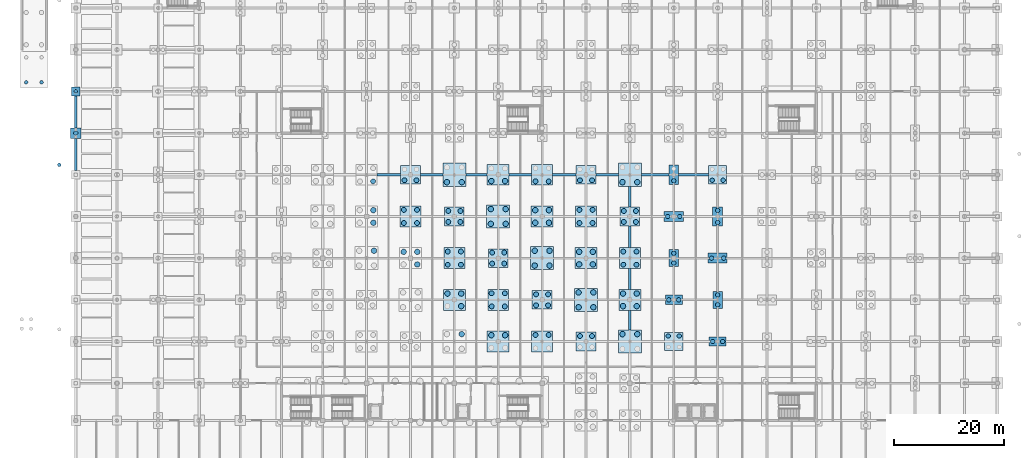
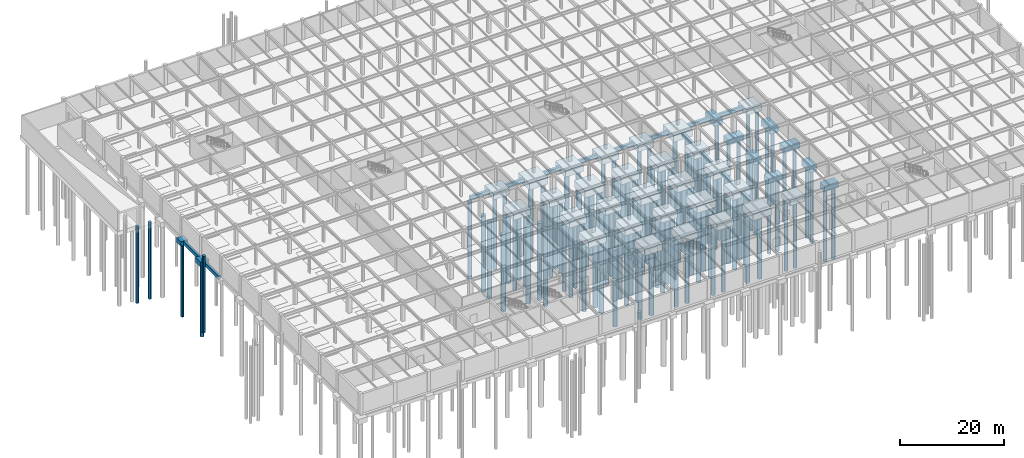
# One storey, part 3 of 53: 115 piles, 52 footings.
"""IFC4 building model written with IfcOpenShell, lengths in metres."""

import ifcopenshell
import ifcopenshell.guid

model = None  # the IFC model being written
_history = None  # IfcOwnerHistory: only IFC2X3 demands one
_inside = {}  # id of a spatial element -> (the spatial element, [elements in it])
_under = {}  # id of a project, library or spatial element -> (it, [spatial elements below it])
_declared = {}  # id of a project -> (the project, [libraries it declares])
_typed = {}  # id of a type object -> (the type object, [elements of that type])
_made_of = {}  # id of a material, layer set ... -> (it, [elements and type objects made of it])


def new_model(schema):
    """Start an empty IFC model of exactly this schema.

    Asked for "IFC4X3", IfcOpenShell would pick the latest addendum, in which some entities
    have other attributes; the version numbers below select the first issue.
    IFC2X3 requires an IfcOwnerHistory on every rooted entity: one is made here for all.
    """
    global model, _history
    if schema == "IFC4X3":
        model = ifcopenshell.file(schema_version=(4, 3, 0, 0))
    else:
        model = ifcopenshell.file(schema=schema)
    _inside.clear()
    _under.clear()
    _declared.clear()
    _typed.clear()
    _made_of.clear()
    _history = None
    if model.schema == "IFC2X3":
        org = make("IfcOrganization", Name="unknown")
        user = make(
            "IfcPersonAndOrganization",
            ThePerson=make("IfcPerson", FamilyName="unknown"),
            TheOrganization=org,
        )
        app = make(
            "IfcApplication",
            ApplicationDeveloper=org,
            Version="unknown",
            ApplicationFullName="unknown",
            ApplicationIdentifier="unknown",
        )
        _history = make(
            "IfcOwnerHistory",
            OwningUser=user,
            OwningApplication=app,
            ChangeAction="ADDED",
            CreationDate=0,
        )
    return model


def make(cls, **values):
    """One entity of the class cls with the attributes given. An attribute that is None is left unset."""
    return model.create_entity(
        cls, **{name: value for name, value in values.items() if value is not None}
    )


def rooted(cls, **values):
    """An entity with a GlobalId (a new one), such as an element, a storey or a relation."""
    return make(cls, GlobalId=ifcopenshell.guid.new(), OwnerHistory=_history, **values)


def si_unit(unit_type, name, prefix=None):
    """IfcSIUnit, for example si_unit("LENGTHUNIT", "METRE", prefix="MILLI")."""
    return make("IfcSIUnit", UnitType=unit_type, Prefix=prefix, Name=name)


def assignment(units):
    """IfcUnitAssignment: the units of a project."""
    return None if units is None else make("IfcUnitAssignment", Units=units)


def point(xyz):
    """IfcCartesianPoint."""
    return None if xyz is None else make("IfcCartesianPoint", Coordinates=xyz)


def direction(xyz):
    """IfcDirection."""
    return None if xyz is None else make("IfcDirection", DirectionRatios=xyz)


def frame(location, z_axis=None, x_axis=None):
    """IfcAxis2Placement3D, a coordinate frame: its origin and axes. An axis left out is left unset."""
    return make(
        "IfcAxis2Placement3D",
        Location=point(location),
        Axis=direction(z_axis),
        RefDirection=direction(x_axis),
    )


def frame_2d(location, x_axis=None):
    """IfcAxis2Placement2D, a coordinate frame in the plane: its origin and x axis."""
    return make(
        "IfcAxis2Placement2D", Location=point(location), RefDirection=direction(x_axis)
    )


def origin():
    """The frame at (0, 0, 0) with its axes left unset."""
    return frame((0.0, 0.0, 0.0))


def origin_2d():
    """The frame at (0, 0) in the plane with its x axis left unset."""
    return frame_2d((0.0, 0.0))


def place(relative_to, where):
    """IfcLocalPlacement: puts the frame where relative to a parent placement (None: the world)."""
    return make(
        "IfcLocalPlacement", PlacementRelTo=relative_to, RelativePlacement=where
    )


def context(
    kind, dimensions, precision=None, world=None, true_north=None, identifier=None
):
    """IfcGeometricRepresentationContext, for example the 3D "Model" context."""
    return make(
        "IfcGeometricRepresentationContext",
        ContextIdentifier=identifier,
        ContextType=kind,
        CoordinateSpaceDimension=dimensions,
        Precision=precision,
        WorldCoordinateSystem=world,
        TrueNorth=true_north,
    )


def subcontext(parent, identifier, kind, view, scale=None):
    """IfcGeometricRepresentationSubContext, for example "Body" below "Model"."""
    return make(
        "IfcGeometricRepresentationSubContext",
        ContextIdentifier=identifier,
        ContextType=kind,
        ParentContext=parent,
        TargetScale=scale,
        TargetView=view,
    )


def project(units=None, contexts=None):
    """IfcProject with its units and contexts."""
    return rooted(
        "IfcProject",
        Name="project",
        RepresentationContexts=contexts,
        UnitsInContext=assignment(units),
    )


def spatial(cls, under=None, at=None, **own):
    """A site, building, storey or space (cls), placed at a placement, below another one or the project."""
    s = rooted(cls, ObjectPlacement=at, **own)
    if under is not None:
        _under.setdefault(under.id(), (under, []))[1].append(s)
    return s


def profile(cls, at=None, kind="AREA", **sizes):
    """A parametric profile (cls). Its sizes go by their IFC names, for example OverallWidth=200.0."""
    return make(cls, ProfileType=kind, Position=at, **sizes)


def rectangle(**sizes):
    """IfcRectangleProfileDef."""
    return profile("IfcRectangleProfileDef", **sizes)


def circle(**sizes):
    """IfcCircleProfileDef."""
    return profile("IfcCircleProfileDef", **sizes)


def extrude(swept, where, along, depth):
    """IfcExtrudedAreaSolid: the profile swept, set in the frame where, extruded along a direction by depth."""
    return make(
        "IfcExtrudedAreaSolid",
        SweptArea=swept,
        Position=where,
        ExtrudedDirection=direction(along),
        Depth=depth,
    )


def shape(context_of_items, identifier, shape_type, items):
    """IfcShapeRepresentation: the items that make up one representation, for example the "Body"."""
    return make(
        "IfcShapeRepresentation",
        ContextOfItems=context_of_items,
        RepresentationIdentifier=identifier,
        RepresentationType=shape_type,
        Items=items,
    )


def material(Name=None, Category=None):
    """IfcMaterial."""
    return make("IfcMaterial", Name=Name, Category=Category)


def material_profile(
    of_material, cross_section, Name=None, Category=None, Priority=None
):
    """IfcMaterialProfile: a cross section and its material."""
    return make(
        "IfcMaterialProfile",
        Name=Name,
        Material=of_material,
        Profile=cross_section,
        Priority=Priority,
        Category=Category,
    )


def profile_set(profiles, Name=None, composite=None):
    """IfcMaterialProfileSet."""
    return make(
        "IfcMaterialProfileSet",
        Name=Name,
        MaterialProfiles=profiles,
        CompositeProfile=composite,
    )


def made_of(thing, what):
    """Note that an element or type object is made of a material, layer set ...; save() writes the relation."""
    if what is not None:
        _made_of.setdefault(what.id(), (what, []))[1].append(thing)
    return thing


def type_object(cls, material=None, **own):
    """A type object (cls), such as IfcWallType, which elements share."""
    return made_of(rooted(cls, **own), material)


def element(
    cls,
    number,
    at=None,
    inside=None,
    cuts=None,
    type_object=None,
    material=None,
    context=None,
    identifier="Body",
    shape_type=None,
    held_by="IfcProductDefinitionShape",
    body=None,
    shapes=None,
    **own,
):
    """One element of the class cls, such as IfcWall. Its Tag is "e" and its number.

    at: its placement. inside: the storey or other place that contains it. cuts: it is an
    opening in that element (IfcRelVoidsElement). A single representation is given by context,
    identifier, shape_type and body (its items); several are given by shapes. held_by: the class
    of the entity that holds the representations. save() writes the other relations.
    """
    e = rooted(cls, Tag="e%d" % number, ObjectPlacement=at, **own)
    if body is not None:
        shapes = [shape(context, identifier, shape_type, body)]
    if shapes is not None:
        e.Representation = make(held_by, Representations=shapes)
    if inside is not None:
        _inside.setdefault(inside.id(), (inside, []))[1].append(e)
    if cuts is not None:
        rooted(
            "IfcRelVoidsElement", RelatingBuildingElement=cuts, RelatedOpeningElement=e
        )
    if type_object is not None:
        _typed.setdefault(type_object.id(), (type_object, []))[1].append(e)
    return made_of(e, material)


def aggregate(whole, parts):
    """IfcRelAggregates: a whole, such as a stair, and the parts it consists of."""
    return rooted("IfcRelAggregates", RelatingObject=whole, RelatedObjects=parts)


def save(model, path):
    """Write the relations noted so far, then the file.

    IfcRelAggregates (storeys below a building ...), IfcRelContainedInSpatialStructure (elements
    in a storey), IfcRelDefinesByType, IfcRelAssociatesMaterial and IfcRelDeclares: one each for
    every whole, place, type object, material and project.
    """
    for whole, parts in _under.values():
        aggregate(whole, parts)
    for where, things in _inside.values():
        rooted(
            "IfcRelContainedInSpatialStructure",
            RelatedElements=things,
            RelatingStructure=where,
        )
    for kind, things in _typed.values():
        rooted("IfcRelDefinesByType", RelatedObjects=things, RelatingType=kind)
    for what, things in _made_of.values():
        rooted("IfcRelAssociatesMaterial", RelatedObjects=things, RelatingMaterial=what)
    for by, libraries in _declared.values():
        rooted("IfcRelDeclares", RelatingContext=by, RelatedDefinitions=libraries)
    model.write(path)


model = new_model("IFC4")

# Units and contexts
model_context = context("Model", 3, precision=1e-05, world=origin(), true_north=direction((0.0, 1.0)))
body_context = subcontext(model_context, "Body", "Model", "MODEL_VIEW")
ifc_project = project(units=[si_unit("LENGTHUNIT", "METRE"), si_unit("AREAUNIT", "SQUARE_METRE"), si_unit("VOLUMEUNIT", "CUBIC_METRE"), si_unit("PLANEANGLEUNIT", "RADIAN"), si_unit("MASSUNIT", "GRAM", prefix="KILO")], contexts=[model_context])

# Site, building, storey
site_placement = place(None, origin())
site = spatial("IfcSite", under=ifc_project, at=site_placement, CompositionType="ELEMENT")
building_placement = place(site_placement, origin())
building = spatial("IfcBuilding", under=site, at=building_placement, Name="Shalkamar Park Central Library", CompositionType="ELEMENT")
storey_placement = place(building_placement, frame((0.0, 0.0, -4.800048828125)))
storey = spatial("IfcBuildingStorey", under=building, at=storey_placement, Name="B1", CompositionType="ELEMENT", Elevation=-4.800048828125)

# Piles
ifc_material = material(Name="Concrete C35/45", Category="concrete")
ifc_material_profile_1 = material_profile(ifc_material, circle(Radius=0.5, at=origin_2d()), Name="PILE D1000")
ifc_profile_set_1 = profile_set([ifc_material_profile_1], Name="Concrete C35/45")
pile_type_1 = type_object("IfcPileType", Name="Bored Concrete Pile D1000", PredefinedType="BORED", material=ifc_profile_set_1)
for number, where, z_axis, x_axis, name in (
    (1, (174.35009765625, 279.35009765625, -0.800048828125), (0.0, 0.0, -1.0), (1.0, 0.0, 0.0), "Bored Pile FC-08-F-P04"),
    (2, (174.25, 284.449951171875, -0.800048828125), (0.0, 0.0, -1.0), (1.0, 0.0, 0.0), "Bored Pile FC-08-G-P03"),
    (3, (174.25, 286.75, -0.800048828125), (0.0, 0.0, -1.0), (1.0, 0.0, 0.0), "Bored Pile FC-08-G-P04"),
    (4, (179.75, 279.14990234375, -0.800048828125), (0.0, 0.0, -1.0), (1.0, 0.0, 0.0), "Bored Pile FC-09-F-P02"),
    (5, (182.25, 276.85009765625, -0.800048828125), (0.0, 0.0, -1.0), (1.0, 0.0, 0.0), "Bored Pile FC-09-F-P03"),
    (6, (182.25, 279.14990234375, -0.800048828125), (0.0, 0.0, -1.0), (1.0, 0.0, 0.0), "Bored Pile FC-09-F-P04"),
    (7, (190.35009765625, 264.14990234375, -0.800048828125), (0.0, 0.0, -1.0), (1.0, 0.0, 0.0), "Bored Pile FC-10-D-P04"),
    (8, (187.75, 271.550048828125, -0.800048828125), (0.0, 0.0, -1.0), (1.0, 0.0, 0.0), "Bored Pile FC-10-E-P02"),
    (9, (190.25, 269.25, -0.800048828125), (0.0, 0.0, -1.0), (1.0, 0.0, 0.0), "Bored Pile FC-10-E-P03"),
    (10, (190.25, 271.550048828125, -0.800048828125), (0.0, 0.0, -1.0), (1.0, 0.0, 0.0), "Bored Pile FC-10-E-P04"),
    (11, (187.64990234375, 291.85009765625, -0.800048828125), (0.0, 0.0, -1.0), (1.0, 0.0, 0.0), "Bored Pile FC-10-H-P01"),
    (12, (190.35009765625, 291.85009765625, -0.800048828125), (0.0, 0.0, -1.0), (1.0, 0.0, 0.0), "Bored Pile FC-10-H-P03"),
    (13, (195.75, 263.949951171875, -0.800048828125), (0.0, 0.0, -1.0), (1.0, 0.0, 0.0), "Bored Pile FC-11-D-P02"),
    (14, (198.25, 263.949951171875, -0.800048828125), (0.0, 0.0, -1.0), (1.0, 0.0, 0.0), "Bored Pile FC-11-D-P04"),
    (15, (195.64990234375, 284.25, -0.800048828125), (0.0, 0.0, -1.0), (1.0, 0.0, 0.0), "Bored Pile FC-11-G-P01"),
    (16, (195.64990234375, 286.949951171875, -0.800048828125), (0.0, 0.0, -1.0), (1.0, 0.0, 0.0), "Bored Pile FC-11-G-P02"),
    (17, (198.35009765625, 284.25, -0.800048828125), (0.0, 0.0, -1.0), (1.0, 0.0, 0.0), "Bored Pile FC-11-G-P03"),
    (18, (198.35009765625, 286.949951171875, -0.800048828125), (0.0, 0.0, -1.0), (1.0, 0.0, 0.0), "Bored Pile FC-11-G-P04"),
    (19, (195.75, 292.050048828125, -0.800048828125), (0.0, 0.0, -1.0), (1.0, 0.0, 0.0), "Bored Pile FC-11-H-P01"),
    (20, (198.25, 292.050048828125, -0.800048828125), (0.0, 0.0, -1.0), (1.0, 0.0, 0.0), "Bored Pile FC-11-H-P03"),
    (21, (203.64990234375, 276.64990234375, -0.800048828125), (0.0, 0.0, -1.0), (1.0, 0.0, 0.0), "Bored Pile FC-12-F-P01"),
    (22, (203.64990234375, 279.35009765625, -0.800048828125), (0.0, 0.0, -1.0), (1.0, 0.0, 0.0), "Bored Pile FC-12-F-P02"),
    (23, (206.35009765625, 276.64990234375, -0.800048828125), (0.0, 0.0, -1.0), (1.0, 0.0, 0.0), "Bored Pile FC-12-F-P03"),
    (24, (206.35009765625, 279.35009765625, -0.800048828125), (0.0, 0.0, -1.0), (1.0, 0.0, 0.0), "Bored Pile FC-12-F-P04"),
    (25, (203.75, 284.449951171875, -0.800048828125), (0.0, 0.0, -1.0), (1.0, 0.0, 0.0), "Bored Pile FC-12-G-P01"),
    (26, (203.75, 286.75, -0.800048828125), (0.0, 0.0, -1.0), (1.0, 0.0, 0.0), "Bored Pile FC-12-G-P02"),
    (27, (206.25, 284.449951171875, -0.800048828125), (0.0, 0.0, -1.0), (1.0, 0.0, 0.0), "Bored Pile FC-12-G-P03"),
    (28, (206.25, 286.75, -0.800048828125), (0.0, 0.0, -1.0), (1.0, 0.0, 0.0), "Bored Pile FC-12-G-P04"),
    (29, (211.64990234375, 269.050048828125, -0.800048828125), (0.0, 0.0, -1.0), (1.0, 0.0, 0.0), "Bored Pile FC-13-E-P01"),
    (30, (211.64990234375, 271.75, -0.800048828125), (0.0, 0.0, -1.0), (1.0, 0.0, 0.0), "Bored Pile FC-13-E-P02"),
    (31, (214.35009765625, 269.050048828125, -0.800048828125), (0.0, 0.0, -1.0), (1.0, 0.0, 0.0), "Bored Pile FC-13-E-P03"),
    (32, (214.35009765625, 271.75, -0.800048828125), (0.0, 0.0, -1.0), (1.0, 0.0, 0.0), "Bored Pile FC-13-E-P04"),
    (33, (211.75, 276.85009765625, -0.800048828125), (0.0, 0.0, -1.0), (1.0, 0.0, 0.0), "Bored Pile FC-13-F-P01"),
    (34, (211.75, 279.14990234375, -0.800048828125), (0.0, 0.0, -1.0), (1.0, 0.0, 0.0), "Bored Pile FC-13-F-P02"),
    (35, (214.25, 276.85009765625, -0.800048828125), (0.0, 0.0, -1.0), (1.0, 0.0, 0.0), "Bored Pile FC-13-F-P03"),
    (36, (214.25, 279.14990234375, -0.800048828125), (0.0, 0.0, -1.0), (1.0, 0.0, 0.0), "Bored Pile FC-13-F-P04"),
    (37, (219.64990234375, 264.14990234375, -0.800048828125), (0.0, 0.0, -1.0), (1.0, 0.0, 0.0), "Bored Pile FC-14-D-P02"),
    (38, (222.35009765625, 264.14990234375, -0.800048828125), (0.0, 0.0, -1.0), (1.0, 0.0, 0.0), "Bored Pile FC-14-D-P04"),
    (39, (219.75, 269.25, -0.800048828125), (0.0, 0.0, -1.0), (1.0, 0.0, 0.0), "Bored Pile FC-14-E-P01"),
    (40, (219.75, 271.550048828125, -0.800048828125), (0.0, 0.0, -1.0), (1.0, 0.0, 0.0), "Bored Pile FC-14-E-P02"),
    (41, (222.25, 269.25, -0.800048828125), (0.0, 0.0, -1.0), (1.0, 0.0, 0.0), "Bored Pile FC-14-E-P03"),
    (42, (222.25, 271.550048828125, -0.800048828125), (0.0, 0.0, -1.0), (1.0, 0.0, 0.0), "Bored Pile FC-14-E-P04"),
    (43, (219.64990234375, 291.85009765625, -0.800048828125), (0.0, 0.0, -1.0), (1.0, 0.0, 0.0), "Bored Pile FC-14-H-P01"),
    (44, (222.35009765625, 291.85009765625, -0.800048828125), (0.0, 0.0, -1.0), (1.0, 0.0, 0.0), "Bored Pile FC-14-H-P03"),
):
    element("IfcPile", number, at=place(storey_placement, frame(where, z_axis=z_axis, x_axis=x_axis)), inside=storey, type_object=pile_type_1, Name=name, PredefinedType="BORED", context=body_context, shape_type="SweptSolid", body=[
        extrude(circle(Radius=0.5, at=origin_2d()), origin(), (0.0, 0.0, 1.0), 18.0),
    ])
ifc_material_profile_2 = material_profile(ifc_material, circle(Radius=0.324951171875, at=origin_2d()), Name="PILE D650")
ifc_profile_set_2 = profile_set([ifc_material_profile_2], Name="Concrete C35/45")
pile_type_2 = type_object("IfcPileType", Name="Bored Concrete Pile D650", PredefinedType="BORED", material=ifc_profile_set_2)
for number, where, z_axis, x_axis, name in (
    (45, (120.0, 308.39990234375, -0.800048828125), (0.0, 0.0, -1.0), (1.0, 0.0, 0.0), "Bored Pile FC-01-K-P01"),
    (46, (117.0, 295.0, 4.650146484375), (0.0, 0.0, -1.0), (1.0, 0.0, 0.0), "Entrance Apron Pile 13"),
    (47, (110.949951171875, 310.050048828125, 4.60009765625), (0.0, 0.0, -1.0), (1.0, 0.0, 0.0), "Bored Pile FC-VRM-TOP-P01"),
    (48, (113.75, 310.050048828125, 4.60009765625), (0.0, 0.0, -1.0), (1.0, 0.0, 0.0), "Bored Pile FC-VRM-TOP-P03"),
):
    element("IfcPile", number, at=place(storey_placement, frame(where, z_axis=z_axis, x_axis=x_axis)), inside=storey, type_object=pile_type_2, Name=name, PredefinedType="BORED", context=body_context, shape_type="SweptSolid", body=[
        extrude(circle(Radius=0.324951171875, at=origin_2d()), origin(), (0.0, 0.0, 1.0), 18.0),
    ])
ifc_material_profile_3 = material_profile(ifc_material, circle(Radius=0.39990234375, at=origin_2d()), Name="PILE D800")
ifc_profile_set_3 = profile_set([ifc_material_profile_3], Name="Concrete C35/45")
pile_type_3 = type_object("IfcPileType", Name="Bored Concrete Pile D800", PredefinedType="BORED", material=ifc_profile_set_3)
for number, where, z_axis, x_axis, name in (
    (49, (120.0, 300.800048828125, -0.800048828125), (0.0, 0.0, -1.0), (1.0, 0.0, 0.0), "Bored Pile FC-01-J-P01"),
    (50, (228.0, 263.800048828125, -0.800048828125), (0.0, 0.0, -1.0), (1.0, 0.0, 0.0), "Bored Pile FC-15-D-P02"),
    (51, (230.0, 263.800048828125, -0.800048828125), (0.0, 0.0, -1.0), (1.0, 0.0, 0.0), "Bored Pile FC-15-D-P04"),
    (52, (228.10009765625, 270.39990234375, -0.800048828125), (0.0, 0.0, -1.0), (1.0, 0.0, 0.0), "Bored Pile FC-15-E-P01"),
    (53, (229.89990234375, 270.39990234375, -0.800048828125), (0.0, 0.0, -1.0), (1.0, 0.0, 0.0), "Bored Pile FC-15-E-P02"),
    (54, (229.0, 277.10009765625, -0.800048828125), (0.0, 0.0, -1.0), (1.0, 0.0, 0.0), "Bored Pile FC-15-F-P01"),
    (55, (229.0, 278.89990234375, -0.800048828125), (0.0, 0.0, -1.0), (1.0, 0.0, 0.0), "Bored Pile FC-15-F-P02"),
    (56, (227.89990234375, 285.60009765625, -0.800048828125), (0.0, 0.0, -1.0), (1.0, 0.0, 0.0), "Bored Pile FC-15-G-P01"),
    (57, (230.10009765625, 285.60009765625, -0.800048828125), (0.0, 0.0, -1.0), (1.0, 0.0, 0.0), "Bored Pile FC-15-G-P02"),
    (58, (229.0, 292.10009765625, -0.800048828125), (0.0, 0.0, -1.0), (1.0, 0.0, 0.0), "Bored Pile FC-15-H-P01"),
    (59, (236.10009765625, 262.800048828125, -0.800048828125), (0.0, 0.0, -1.0), (1.0, 0.0, 0.0), "Bored Pile FC-16-D-P01"),
    (60, (237.89990234375, 262.800048828125, -0.800048828125), (0.0, 0.0, -1.0), (1.0, 0.0, 0.0), "Bored Pile FC-16-D-P02"),
    (61, (237.0, 269.5, -0.800048828125), (0.0, 0.0, -1.0), (1.0, 0.0, 0.0), "Bored Pile FC-16-E-P01"),
    (62, (237.0, 271.300048828125, -0.800048828125), (0.0, 0.0, -1.0), (1.0, 0.0, 0.0), "Bored Pile FC-16-E-P02"),
    (63, (235.89990234375, 278.0, -0.800048828125), (0.0, 0.0, -1.0), (1.0, 0.0, 0.0), "Bored Pile FC-16-F-P01"),
    (64, (238.10009765625, 278.0, -0.800048828125), (0.0, 0.0, -1.0), (1.0, 0.0, 0.0), "Bored Pile FC-16-F-P02"),
    (65, (237.0, 284.5, -0.800048828125), (0.0, 0.0, -1.0), (1.0, 0.0, 0.0), "Bored Pile FC-16-G-P01"),
    (66, (237.0, 286.699951171875, -0.800048828125), (0.0, 0.0, -1.0), (1.0, 0.0, 0.0), "Bored Pile FC-16-G-P02"),
    (67, (236.0, 292.199951171875, -0.800048828125), (0.0, 0.0, -1.0), (1.0, 0.0, 0.0), "Bored Pile FC-16-H-P01"),
    (68, (238.0, 292.199951171875, -0.800048828125), (0.0, 0.0, -1.0), (1.0, 0.0, 0.0), "Bored Pile FC-16-H-P03"),
):
    element("IfcPile", number, at=place(storey_placement, frame(where, z_axis=z_axis, x_axis=x_axis)), inside=storey, type_object=pile_type_3, Name=name, PredefinedType="BORED", context=body_context, shape_type="SweptSolid", body=[
        extrude(circle(Radius=0.39990234375, at=origin_2d()), origin(), (0.0, 0.0, 1.0), 18.0),
    ])
ifc_material_profile_4 = material_profile(ifc_material, circle(Radius=0.449951171875, at=origin_2d()), Name="PILE D900")
ifc_profile_set_4 = profile_set([ifc_material_profile_4], Name="Concrete C35/45")
pile_type_4 = type_object("IfcPileType", Name="Bored Concrete Pile D900", PredefinedType="BORED", material=ifc_profile_set_4)
for number, where, z_axis, x_axis, name in (
    (69, (174.199951171875, 292.0, -0.800048828125), (0.0, 0.0, -1.0), (1.0, 0.0, 0.0), "Bored Pile FC-08-H-P03"),
    (70, (179.800048828125, 284.39990234375, -0.800048828125), (0.0, 0.0, -1.0), (1.0, 0.0, 0.0), "Bored Pile FC-09-G-P01"),
    (71, (179.800048828125, 286.800048828125, -0.800048828125), (0.0, 0.0, -1.0), (1.0, 0.0, 0.0), "Bored Pile FC-09-G-P02"),
    (72, (182.199951171875, 284.39990234375, -0.800048828125), (0.0, 0.0, -1.0), (1.0, 0.0, 0.0), "Bored Pile FC-09-G-P03"),
    (73, (182.199951171875, 286.800048828125, -0.800048828125), (0.0, 0.0, -1.0), (1.0, 0.0, 0.0), "Bored Pile FC-09-G-P04"),
    (74, (179.89990234375, 292.199951171875, -0.800048828125), (0.0, 0.0, -1.0), (1.0, 0.0, 0.0), "Bored Pile FC-09-H-P01"),
    (75, (182.10009765625, 292.199951171875, -0.800048828125), (0.0, 0.0, -1.0), (1.0, 0.0, 0.0), "Bored Pile FC-09-H-P03"),
    (76, (187.800048828125, 276.800048828125, -0.800048828125), (0.0, 0.0, -1.0), (1.0, 0.0, 0.0), "Bored Pile FC-10-F-P01"),
    (77, (187.800048828125, 279.199951171875, -0.800048828125), (0.0, 0.0, -1.0), (1.0, 0.0, 0.0), "Bored Pile FC-10-F-P02"),
    (78, (190.199951171875, 276.800048828125, -0.800048828125), (0.0, 0.0, -1.0), (1.0, 0.0, 0.0), "Bored Pile FC-10-F-P03"),
    (79, (190.199951171875, 279.199951171875, -0.800048828125), (0.0, 0.0, -1.0), (1.0, 0.0, 0.0), "Bored Pile FC-10-F-P04"),
    (80, (187.89990234375, 284.60009765625, -0.800048828125), (0.0, 0.0, -1.0), (1.0, 0.0, 0.0), "Bored Pile FC-10-G-P01"),
    (81, (187.89990234375, 286.60009765625, -0.800048828125), (0.0, 0.0, -1.0), (1.0, 0.0, 0.0), "Bored Pile FC-10-G-P02"),
    (82, (190.10009765625, 284.60009765625, -0.800048828125), (0.0, 0.0, -1.0), (1.0, 0.0, 0.0), "Bored Pile FC-10-G-P03"),
    (83, (190.10009765625, 286.60009765625, -0.800048828125), (0.0, 0.0, -1.0), (1.0, 0.0, 0.0), "Bored Pile FC-10-G-P04"),
    (84, (195.800048828125, 269.199951171875, -0.800048828125), (0.0, 0.0, -1.0), (1.0, 0.0, 0.0), "Bored Pile FC-11-E-P01"),
    (85, (195.800048828125, 271.60009765625, -0.800048828125), (0.0, 0.0, -1.0), (1.0, 0.0, 0.0), "Bored Pile FC-11-E-P02"),
    (86, (198.199951171875, 269.199951171875, -0.800048828125), (0.0, 0.0, -1.0), (1.0, 0.0, 0.0), "Bored Pile FC-11-E-P03"),
    (87, (198.199951171875, 271.60009765625, -0.800048828125), (0.0, 0.0, -1.0), (1.0, 0.0, 0.0), "Bored Pile FC-11-E-P04"),
    (88, (195.89990234375, 277.0, -0.800048828125), (0.0, 0.0, -1.0), (1.0, 0.0, 0.0), "Bored Pile FC-11-F-P01"),
    (89, (195.89990234375, 279.0, -0.800048828125), (0.0, 0.0, -1.0), (1.0, 0.0, 0.0), "Bored Pile FC-11-F-P02"),
    (90, (198.10009765625, 277.0, -0.800048828125), (0.0, 0.0, -1.0), (1.0, 0.0, 0.0), "Bored Pile FC-11-F-P03"),
    (91, (198.10009765625, 279.0, -0.800048828125), (0.0, 0.0, -1.0), (1.0, 0.0, 0.0), "Bored Pile FC-11-F-P04"),
    (92, (203.800048828125, 264.0, -0.800048828125), (0.0, 0.0, -1.0), (1.0, 0.0, 0.0), "Bored Pile FC-12-D-P02"),
    (93, (206.199951171875, 264.0, -0.800048828125), (0.0, 0.0, -1.0), (1.0, 0.0, 0.0), "Bored Pile FC-12-D-P04"),
    (94, (203.89990234375, 269.39990234375, -0.800048828125), (0.0, 0.0, -1.0), (1.0, 0.0, 0.0), "Bored Pile FC-12-E-P01"),
    (95, (203.89990234375, 271.39990234375, -0.800048828125), (0.0, 0.0, -1.0), (1.0, 0.0, 0.0), "Bored Pile FC-12-E-P02"),
    (96, (206.10009765625, 269.39990234375, -0.800048828125), (0.0, 0.0, -1.0), (1.0, 0.0, 0.0), "Bored Pile FC-12-E-P03"),
    (97, (206.10009765625, 271.39990234375, -0.800048828125), (0.0, 0.0, -1.0), (1.0, 0.0, 0.0), "Bored Pile FC-12-E-P04"),
    (98, (203.800048828125, 292.0, -0.800048828125), (0.0, 0.0, -1.0), (1.0, 0.0, 0.0), "Bored Pile FC-12-H-P01"),
    (99, (206.199951171875, 292.0, -0.800048828125), (0.0, 0.0, -1.0), (1.0, 0.0, 0.0), "Bored Pile FC-12-H-P03"),
    (100, (211.89990234375, 263.800048828125, -0.800048828125), (0.0, 0.0, -1.0), (1.0, 0.0, 0.0), "Bored Pile FC-13-D-P02"),
    (101, (214.10009765625, 263.800048828125, -0.800048828125), (0.0, 0.0, -1.0), (1.0, 0.0, 0.0), "Bored Pile FC-13-D-P04"),
    (102, (211.800048828125, 284.39990234375, -0.800048828125), (0.0, 0.0, -1.0), (1.0, 0.0, 0.0), "Bored Pile FC-13-G-P01"),
    (103, (211.800048828125, 286.800048828125, -0.800048828125), (0.0, 0.0, -1.0), (1.0, 0.0, 0.0), "Bored Pile FC-13-G-P02"),
    (104, (214.199951171875, 284.39990234375, -0.800048828125), (0.0, 0.0, -1.0), (1.0, 0.0, 0.0), "Bored Pile FC-13-G-P03"),
    (105, (214.199951171875, 286.800048828125, -0.800048828125), (0.0, 0.0, -1.0), (1.0, 0.0, 0.0), "Bored Pile FC-13-G-P04"),
    (106, (211.89990234375, 292.199951171875, -0.800048828125), (0.0, 0.0, -1.0), (1.0, 0.0, 0.0), "Bored Pile FC-13-H-P01"),
    (107, (214.10009765625, 292.199951171875, -0.800048828125), (0.0, 0.0, -1.0), (1.0, 0.0, 0.0), "Bored Pile FC-13-H-P03"),
    (108, (219.800048828125, 276.800048828125, -0.800048828125), (0.0, 0.0, -1.0), (1.0, 0.0, 0.0), "Bored Pile FC-14-F-P01"),
    (109, (219.800048828125, 279.199951171875, -0.800048828125), (0.0, 0.0, -1.0), (1.0, 0.0, 0.0), "Bored Pile FC-14-F-P02"),
    (110, (222.199951171875, 276.800048828125, -0.800048828125), (0.0, 0.0, -1.0), (1.0, 0.0, 0.0), "Bored Pile FC-14-F-P03"),
    (111, (222.199951171875, 279.199951171875, -0.800048828125), (0.0, 0.0, -1.0), (1.0, 0.0, 0.0), "Bored Pile FC-14-F-P04"),
    (112, (219.89990234375, 284.60009765625, -0.800048828125), (0.0, 0.0, -1.0), (1.0, 0.0, 0.0), "Bored Pile FC-14-G-P01"),
    (113, (219.89990234375, 286.60009765625, -0.800048828125), (0.0, 0.0, -1.0), (1.0, 0.0, 0.0), "Bored Pile FC-14-G-P02"),
    (114, (222.10009765625, 284.60009765625, -0.800048828125), (0.0, 0.0, -1.0), (1.0, 0.0, 0.0), "Bored Pile FC-14-G-P03"),
    (115, (222.10009765625, 286.60009765625, -0.800048828125), (0.0, 0.0, -1.0), (1.0, 0.0, 0.0), "Bored Pile FC-14-G-P04"),
):
    element("IfcPile", number, at=place(storey_placement, frame(where, z_axis=z_axis, x_axis=x_axis)), inside=storey, type_object=pile_type_4, Name=name, PredefinedType="BORED", context=body_context, shape_type="SweptSolid", body=[
        extrude(circle(Radius=0.449951171875, at=origin_2d()), origin(), (0.0, 0.0, 1.0), 18.0),
    ])

# Footings
footing_type_1 = type_object("IfcFootingType", Name="Ground Tie Beam 500x800", PredefinedType="FOOTING_BEAM", material=ifc_material)
footing_1_placement = place(storey_placement, frame((120.0, 296.89990234375, -1.39990234375), z_axis=(0.0, 0.0, 1.0), x_axis=(0.0, 1.0, 0.0)))
element("IfcFooting", 116, at=footing_1_placement, inside=storey, type_object=footing_type_1, Name="Ground Tie Beam TB-Y-01-H", PredefinedType="FOOTING_BEAM", context=body_context, shape_type="SweptSolid", body=[
    extrude(rectangle(XDim=5.89990234375, YDim=0.5, at=origin_2d()), origin(), (0.0, 0.0, 1.0), 0.800048828125),
])
footing_2_placement = place(storey_placement, frame((120.0, 304.675048828125, -1.39990234375), z_axis=(0.0, 0.0, 1.0), x_axis=(0.0, 1.0, 0.0)))
element("IfcFooting", 117, at=footing_2_placement, inside=storey, type_object=footing_type_1, Name="Ground Tie Beam TB-Y-01-J", PredefinedType="FOOTING_BEAM", context=body_context, shape_type="SweptSolid", body=[
    extrude(rectangle(XDim=5.85009765625, YDim=0.5, at=origin_2d()), origin(), (0.0, 0.0, 1.0), 0.800048828125),
])
footing_type_2 = type_object("IfcFootingType", Name="Ground Tie Beam 500x850", PredefinedType="FOOTING_BEAM", material=ifc_material)
footing_3_placement = place(storey_placement, frame((177.050048828125, 293.199951171875, -1.449951171875), z_axis=(0.0, 0.0, 1.0), x_axis=(1.0, 0.0, 0.0)))
element("IfcFooting", 118, at=footing_3_placement, inside=storey, type_object=footing_type_2, Name="Ground Tie Beam TB-X-08-H", PredefinedType="FOOTING_BEAM", context=body_context, shape_type="SweptSolid", body=[
    extrude(rectangle(XDim=4.300048828125, YDim=0.5, at=origin_2d()), origin(), (0.0, 0.0, 1.0), 0.85009765625),
])
footing_4_placement = place(storey_placement, frame((184.85009765625, 293.199951171875, -1.449951171875), z_axis=(0.0, 0.0, 1.0), x_axis=(1.0, 0.0, 0.0)))
element("IfcFooting", 119, at=footing_4_placement, inside=storey, type_object=footing_type_2, Name="Ground Tie Beam TB-X-09-H", PredefinedType="FOOTING_BEAM", context=body_context, shape_type="SweptSolid", body=[
    extrude(rectangle(XDim=4.10009765625, YDim=0.5, at=origin_2d()), origin(), (0.0, 0.0, 1.0), 0.85009765625),
])
footing_5_placement = place(storey_placement, frame((193.050048828125, 293.199951171875, -1.449951171875), z_axis=(0.0, 0.0, 1.0), x_axis=(1.0, 0.0, 0.0)))
element("IfcFooting", 120, at=footing_5_placement, inside=storey, type_object=footing_type_2, Name="Ground Tie Beam TB-X-10-H", PredefinedType="FOOTING_BEAM", context=body_context, shape_type="SweptSolid", body=[
    extrude(rectangle(XDim=3.89990234375, YDim=0.5, at=origin_2d()), origin(), (0.0, 0.0, 1.0), 0.85009765625),
])
footing_6_placement = place(storey_placement, frame((201.050048828125, 293.199951171875, -1.449951171875), z_axis=(0.0, 0.0, 1.0), x_axis=(1.0, 0.0, 0.0)))
element("IfcFooting", 121, at=footing_6_placement, inside=storey, type_object=footing_type_2, Name="Ground Tie Beam TB-X-11-H", PredefinedType="FOOTING_BEAM", context=body_context, shape_type="SweptSolid", body=[
    extrude(rectangle(XDim=4.10009765625, YDim=0.5, at=origin_2d()), origin(), (0.0, 0.0, 1.0), 0.85009765625),
])
footing_7_placement = place(storey_placement, frame((209.050048828125, 293.199951171875, -1.449951171875), z_axis=(0.0, 0.0, 1.0), x_axis=(1.0, 0.0, 0.0)))
element("IfcFooting", 122, at=footing_7_placement, inside=storey, type_object=footing_type_2, Name="Ground Tie Beam TB-X-12-H", PredefinedType="FOOTING_BEAM", context=body_context, shape_type="SweptSolid", body=[
    extrude(rectangle(XDim=4.300048828125, YDim=0.5, at=origin_2d()), origin(), (0.0, 0.0, 1.0), 0.85009765625),
])
footing_8_placement = place(storey_placement, frame((216.85009765625, 293.199951171875, -1.449951171875), z_axis=(0.0, 0.0, 1.0), x_axis=(1.0, 0.0, 0.0)))
element("IfcFooting", 123, at=footing_8_placement, inside=storey, type_object=footing_type_2, Name="Ground Tie Beam TB-X-13-H", PredefinedType="FOOTING_BEAM", context=body_context, shape_type="SweptSolid", body=[
    extrude(rectangle(XDim=4.10009765625, YDim=0.5, at=origin_2d()), origin(), (0.0, 0.0, 1.0), 0.85009765625),
])
footing_9_placement = place(storey_placement, frame((225.60009765625, 293.199951171875, -1.449951171875), z_axis=(0.0, 0.0, 1.0), x_axis=(1.0, 0.0, 0.0)))
element("IfcFooting", 124, at=footing_9_placement, inside=storey, type_object=footing_type_2, Name="Ground Tie Beam TB-X-14-H", PredefinedType="FOOTING_BEAM", context=body_context, shape_type="SweptSolid", body=[
    extrude(rectangle(XDim=5.0, YDim=0.5, at=origin_2d()), origin(), (0.0, 0.0, 1.0), 0.85009765625),
])
footing_10_placement = place(storey_placement, frame((232.625, 293.199951171875, -1.449951171875), z_axis=(0.0, 0.0, 1.0), x_axis=(1.0, 0.0, 0.0)))
element("IfcFooting", 125, at=footing_10_placement, inside=storey, type_object=footing_type_2, Name="Ground Tie Beam TB-X-15-H", PredefinedType="FOOTING_BEAM", context=body_context, shape_type="SweptSolid", body=[
    extrude(rectangle(XDim=5.449951171875, YDim=0.5, at=origin_2d()), origin(), (0.0, 0.0, 1.0), 0.85009765625),
])
footing_11_placement = place(storey_placement, frame((221.0, 266.699951171875, -1.449951171875), z_axis=(0.0, 0.0, 1.0), x_axis=(0.0, 1.0, 0.0)))
element("IfcFooting", 126, at=footing_11_placement, inside=storey, type_object=footing_type_2, Name="Ground Tie Beam TB-Y-14-D", PredefinedType="FOOTING_BEAM", context=body_context, shape_type="SweptSolid", body=[
    extrude(rectangle(XDim=3.60009765625, YDim=0.5, at=origin_2d()), origin(), (0.0, 0.0, 1.0), 0.85009765625),
])
footing_12_placement = place(storey_placement, frame((221.0, 274.199951171875, -1.449951171875), z_axis=(0.0, 0.0, 1.0), x_axis=(0.0, 1.0, 0.0)))
element("IfcFooting", 127, at=footing_12_placement, inside=storey, type_object=footing_type_2, Name="Ground Tie Beam TB-Y-14-E", PredefinedType="FOOTING_BEAM", context=body_context, shape_type="SweptSolid", body=[
    extrude(rectangle(XDim=3.800048828125, YDim=0.5, at=origin_2d()), origin(), (0.0, 0.0, 1.0), 0.85009765625),
])
footing_13_placement = place(storey_placement, frame((221.0, 281.89990234375, -1.449951171875), z_axis=(0.0, 0.0, 1.0), x_axis=(0.0, 1.0, 0.0)))
element("IfcFooting", 128, at=footing_13_placement, inside=storey, type_object=footing_type_2, Name="Ground Tie Beam TB-Y-14-F", PredefinedType="FOOTING_BEAM", context=body_context, shape_type="SweptSolid", body=[
    extrude(rectangle(XDim=4.0, YDim=0.5, at=origin_2d()), origin(), (0.0, 0.0, 1.0), 0.85009765625),
])
footing_14_placement = place(storey_placement, frame((221.0, 289.199951171875, -1.449951171875), z_axis=(0.0, 0.0, 1.0), x_axis=(0.0, 1.0, 0.0)))
element("IfcFooting", 129, at=footing_14_placement, inside=storey, type_object=footing_type_2, Name="Ground Tie Beam TB-Y-14-G", PredefinedType="FOOTING_BEAM", context=body_context, shape_type="SweptSolid", body=[
    extrude(rectangle(XDim=3.800048828125, YDim=0.5, at=origin_2d()), origin(), (0.0, 0.0, 1.0), 0.85009765625),
])
footing_type_3 = type_object("IfcFootingType", Name="Reinforced Concrete Pile Cap 160x160x105", PredefinedType="PILE_CAP", material=ifc_material)
footing_15_placement = place(storey_placement, frame((120.0, 308.39990234375, -1.64990234375), z_axis=(0.0, 0.0, 1.0), x_axis=(1.0, 0.0, 0.0)))
element("IfcFooting", 130, at=footing_15_placement, inside=storey, type_object=footing_type_3, Name="Pile Cap FC-11", PredefinedType="PILE_CAP", context=body_context, shape_type="SweptSolid", body=[
    extrude(rectangle(XDim=1.60009765625, YDim=1.60009765625, at=origin_2d()), origin(), (0.0, 0.0, 1.0), 1.050048828125),
])
footing_type_4 = type_object("IfcFootingType", Name="Reinforced Concrete Pile Cap 170x310x130", PredefinedType="PILE_CAP", material=ifc_material)
for number, where, z_axis, x_axis, name in (
    (131, (229.0, 278.0, -1.89990234375), (0.0, 0.0, 1.0), (1.0, 0.0, 0.0), "Pile Cap FC-15"),
    (132, (237.0, 270.39990234375, -1.89990234375), (0.0, 0.0, 1.0), (1.0, 0.0, 0.0), "Pile Cap FC-15"),
):
    element("IfcFooting", number, at=place(storey_placement, frame(where, z_axis=z_axis, x_axis=x_axis)), inside=storey, type_object=footing_type_4, Name=name, PredefinedType="PILE_CAP", context=body_context, shape_type="SweptSolid", body=[
        extrude(rectangle(XDim=1.699951171875, YDim=3.10009765625, at=origin_2d()), origin(), (0.0, 0.0, 1.0), 1.300048828125),
    ])
footing_type_5 = type_object("IfcFootingType", Name="Reinforced Concrete Pile Cap 180x350x140", PredefinedType="PILE_CAP", material=ifc_material)
for number, where, z_axis, x_axis, name in (
    (133, (229.0, 293.199951171875, -2.0), (0.0, 0.0, 1.0), (1.0, 0.0, 0.0), "Pile Cap FC-17"),
    (134, (237.0, 285.60009765625, -2.0), (0.0, 0.0, 1.0), (1.0, 0.0, 0.0), "Pile Cap FC-17"),
):
    element("IfcFooting", number, at=place(storey_placement, frame(where, z_axis=z_axis, x_axis=x_axis)), inside=storey, type_object=footing_type_5, Name=name, PredefinedType="PILE_CAP", context=body_context, shape_type="SweptSolid", body=[
        extrude(rectangle(XDim=1.800048828125, YDim=3.5, at=origin_2d()), origin(), (0.0, 0.0, 1.0), 1.39990234375),
    ])
footing_type_6 = type_object("IfcFootingType", Name="Reinforced Concrete Pile Cap 190x190x115", PredefinedType="PILE_CAP", material=ifc_material)
footing_16_placement = place(storey_placement, frame((120.0, 300.800048828125, -1.75), z_axis=(0.0, 0.0, 1.0), x_axis=(1.0, 0.0, 0.0)))
element("IfcFooting", 135, at=footing_16_placement, inside=storey, type_object=footing_type_6, Name="Pile Cap FC-10", PredefinedType="PILE_CAP", context=body_context, shape_type="SweptSolid", body=[
    extrude(rectangle(XDim=1.89990234375, YDim=1.89990234375, at=origin_2d()), origin(), (0.0, 0.0, 1.0), 1.14990234375),
])
footing_type_7 = type_object("IfcFootingType", Name="Reinforced Concrete Pile Cap 310x170x130", PredefinedType="PILE_CAP", material=ifc_material)
for number, where, z_axis, x_axis, name in (
    (136, (229.0, 270.39990234375, -1.89990234375), (0.0, 0.0, 1.0), (1.0, 0.0, 0.0), "Pile Cap FC-14"),
    (137, (237.0, 262.800048828125, -1.89990234375), (0.0, 0.0, 1.0), (1.0, 0.0, 0.0), "Pile Cap FC-14"),
):
    element("IfcFooting", number, at=place(storey_placement, frame(where, z_axis=z_axis, x_axis=x_axis)), inside=storey, type_object=footing_type_7, Name=name, PredefinedType="PILE_CAP", context=body_context, shape_type="SweptSolid", body=[
        extrude(rectangle(XDim=3.10009765625, YDim=1.699951171875, at=origin_2d()), origin(), (0.0, 0.0, 1.0), 1.300048828125),
    ])
footing_type_8 = type_object("IfcFootingType", Name="Reinforced Concrete Pile Cap 330x330x135", PredefinedType="PILE_CAP", material=ifc_material)
for number, where, z_axis, x_axis, name in (
    (138, (229.0, 262.800048828125, -1.949951171875), (0.0, 0.0, 1.0), (1.0, 0.0, 0.0), "Pile Cap FC-18"),
    (139, (237.0, 293.199951171875, -1.949951171875), (0.0, 0.0, 1.0), (1.0, 0.0, 0.0), "Pile Cap FC-18"),
):
    element("IfcFooting", number, at=place(storey_placement, frame(where, z_axis=z_axis, x_axis=x_axis)), inside=storey, type_object=footing_type_8, Name=name, PredefinedType="PILE_CAP", context=body_context, shape_type="SweptSolid", body=[
        extrude(rectangle(XDim=3.300048828125, YDim=3.300048828125, at=origin_2d()), origin(), (0.0, 0.0, 1.0), 1.35009765625),
    ])
footing_type_9 = type_object("IfcFootingType", Name="Reinforced Concrete Pile Cap 350x180x140", PredefinedType="PILE_CAP", material=ifc_material)
for number, where, z_axis, x_axis, name in (
    (140, (229.0, 285.60009765625, -2.0), (0.0, 0.0, 1.0), (1.0, 0.0, 0.0), "Pile Cap FC-16"),
    (141, (237.0, 278.0, -2.0), (0.0, 0.0, 1.0), (1.0, 0.0, 0.0), "Pile Cap FC-16"),
):
    element("IfcFooting", number, at=place(storey_placement, frame(where, z_axis=z_axis, x_axis=x_axis)), inside=storey, type_object=footing_type_9, Name=name, PredefinedType="PILE_CAP", context=body_context, shape_type="SweptSolid", body=[
        extrude(rectangle(XDim=3.5, YDim=1.800048828125, at=origin_2d()), origin(), (0.0, 0.0, 1.0), 1.39990234375),
    ])
footing_type_10 = type_object("IfcFootingType", Name="Reinforced Concrete Pile Cap 360x340x145", PredefinedType="PILE_CAP", material=ifc_material)
for number, where, z_axis, x_axis, name in (
    (142, (181.0, 293.199951171875, -2.0498046875), (0.0, 0.0, 1.0), (1.0, 0.0, 0.0), "Pile Cap FC-21"),
    (143, (189.0, 285.60009765625, -2.0498046875), (0.0, 0.0, 1.0), (1.0, 0.0, 0.0), "Pile Cap FC-21"),
    (144, (197.0, 278.0, -2.0498046875), (0.0, 0.0, 1.0), (1.0, 0.0, 0.0), "Pile Cap FC-21"),
    (145, (205.0, 270.39990234375, -2.0498046875), (0.0, 0.0, 1.0), (1.0, 0.0, 0.0), "Pile Cap FC-21"),
    (146, (213.0, 262.800048828125, -2.0498046875), (0.0, 0.0, 1.0), (1.0, 0.0, 0.0), "Pile Cap FC-21"),
    (147, (213.0, 293.199951171875, -2.0498046875), (0.0, 0.0, 1.0), (1.0, 0.0, 0.0), "Pile Cap FC-21"),
    (148, (221.0, 285.60009765625, -2.0498046875), (0.0, 0.0, 1.0), (1.0, 0.0, 0.0), "Pile Cap FC-21"),
):
    element("IfcFooting", number, at=place(storey_placement, frame(where, z_axis=z_axis, x_axis=x_axis)), inside=storey, type_object=footing_type_10, Name=name, PredefinedType="PILE_CAP", context=body_context, shape_type="SweptSolid", body=[
        extrude(rectangle(XDim=3.60009765625, YDim=3.39990234375, at=origin_2d()), origin(), (0.0, 0.0, 1.0), 1.449951171875),
    ])
footing_type_11 = type_object("IfcFootingType", Name="Reinforced Concrete Pile Cap 380x380x150", PredefinedType="PILE_CAP", material=ifc_material)
for number, where, z_axis, x_axis, name in (
    (149, (181.0, 285.60009765625, -2.099853515625), (0.0, 0.0, 1.0), (1.0, 0.0, 0.0), "Pile Cap FC-20"),
    (150, (189.0, 278.0, -2.099853515625), (0.0, 0.0, 1.0), (1.0, 0.0, 0.0), "Pile Cap FC-20"),
    (151, (197.0, 270.39990234375, -2.099853515625), (0.0, 0.0, 1.0), (1.0, 0.0, 0.0), "Pile Cap FC-20"),
    (152, (205.0, 262.800048828125, -2.099853515625), (0.0, 0.0, 1.0), (1.0, 0.0, 0.0), "Pile Cap FC-20"),
    (153, (205.0, 293.199951171875, -2.099853515625), (0.0, 0.0, 1.0), (1.0, 0.0, 0.0), "Pile Cap FC-20"),
    (154, (213.0, 285.60009765625, -2.099853515625), (0.0, 0.0, 1.0), (1.0, 0.0, 0.0), "Pile Cap FC-20"),
    (155, (221.0, 278.0, -2.099853515625), (0.0, 0.0, 1.0), (1.0, 0.0, 0.0), "Pile Cap FC-20"),
):
    element("IfcFooting", number, at=place(storey_placement, frame(where, z_axis=z_axis, x_axis=x_axis)), inside=storey, type_object=footing_type_11, Name=name, PredefinedType="PILE_CAP", context=body_context, shape_type="SweptSolid", body=[
        extrude(rectangle(XDim=3.800048828125, YDim=3.800048828125, at=origin_2d()), origin(), (0.0, 0.0, 1.0), 1.5),
    ])
footing_type_12 = type_object("IfcFootingType", Name="Reinforced Concrete Pile Cap 400x380x155", PredefinedType="PILE_CAP", material=ifc_material)
for number, where, z_axis, x_axis, name in (
    (156, (189.0, 270.39990234375, -2.14990234375), (0.0, 0.0, 1.0), (1.0, 0.0, 0.0), "Pile Cap FC-19"),
    (157, (197.0, 262.800048828125, -2.14990234375), (0.0, 0.0, 1.0), (1.0, 0.0, 0.0), "Pile Cap FC-19"),
    (158, (197.0, 293.199951171875, -2.14990234375), (0.0, 0.0, 1.0), (1.0, 0.0, 0.0), "Pile Cap FC-19"),
    (159, (205.0, 285.60009765625, -2.14990234375), (0.0, 0.0, 1.0), (1.0, 0.0, 0.0), "Pile Cap FC-19"),
    (160, (213.0, 278.0, -2.14990234375), (0.0, 0.0, 1.0), (1.0, 0.0, 0.0), "Pile Cap FC-19"),
    (161, (221.0, 270.39990234375, -2.14990234375), (0.0, 0.0, 1.0), (1.0, 0.0, 0.0), "Pile Cap FC-19"),
):
    element("IfcFooting", number, at=place(storey_placement, frame(where, z_axis=z_axis, x_axis=x_axis)), inside=storey, type_object=footing_type_12, Name=name, PredefinedType="PILE_CAP", context=body_context, shape_type="SweptSolid", body=[
        extrude(rectangle(XDim=4.0, YDim=3.800048828125, at=origin_2d()), origin(), (0.0, 0.0, 1.0), 1.550048828125),
    ])
footing_type_13 = type_object("IfcFootingType", Name="Reinforced Concrete Pile Cap 420x420x160", PredefinedType="PILE_CAP", material=ifc_material)
for number, where, z_axis, x_axis, name in (
    (162, (189.0, 293.199951171875, -2.199951171875), (0.0, 0.0, 1.0), (1.0, 0.0, 0.0), "Pile Cap FC-22"),
    (163, (197.0, 285.60009765625, -2.199951171875), (0.0, 0.0, 1.0), (1.0, 0.0, 0.0), "Pile Cap FC-22"),
    (164, (205.0, 278.0, -2.199951171875), (0.0, 0.0, 1.0), (1.0, 0.0, 0.0), "Pile Cap FC-22"),
    (165, (213.0, 270.39990234375, -2.199951171875), (0.0, 0.0, 1.0), (1.0, 0.0, 0.0), "Pile Cap FC-22"),
    (166, (221.0, 262.800048828125, -2.199951171875), (0.0, 0.0, 1.0), (1.0, 0.0, 0.0), "Pile Cap FC-22"),
    (167, (221.0, 293.199951171875, -2.199951171875), (0.0, 0.0, 1.0), (1.0, 0.0, 0.0), "Pile Cap FC-22"),
):
    element("IfcFooting", number, at=place(storey_placement, frame(where, z_axis=z_axis, x_axis=x_axis)), inside=storey, type_object=footing_type_13, Name=name, PredefinedType="PILE_CAP", context=body_context, shape_type="SweptSolid", body=[
        extrude(rectangle(XDim=4.199951171875, YDim=4.199951171875, at=origin_2d()), origin(), (0.0, 0.0, 1.0), 1.60009765625),
    ])

save(model, "model.ifc")
